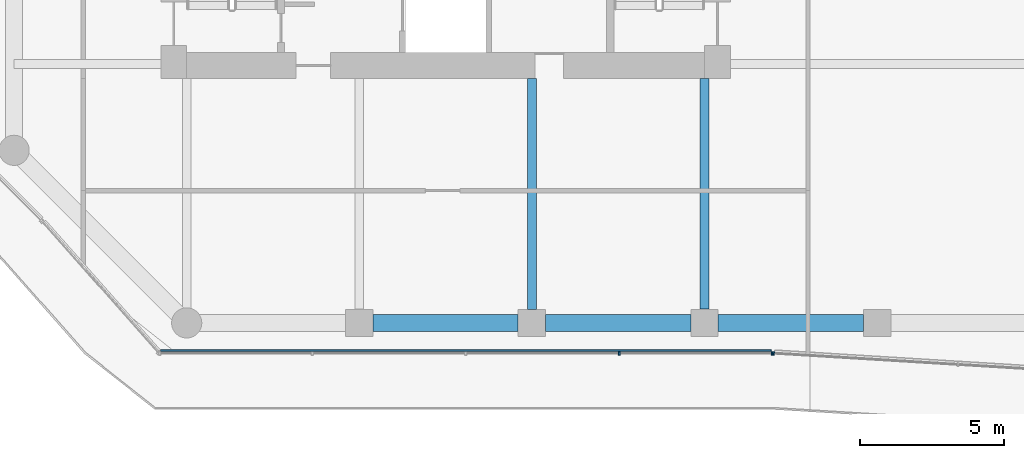
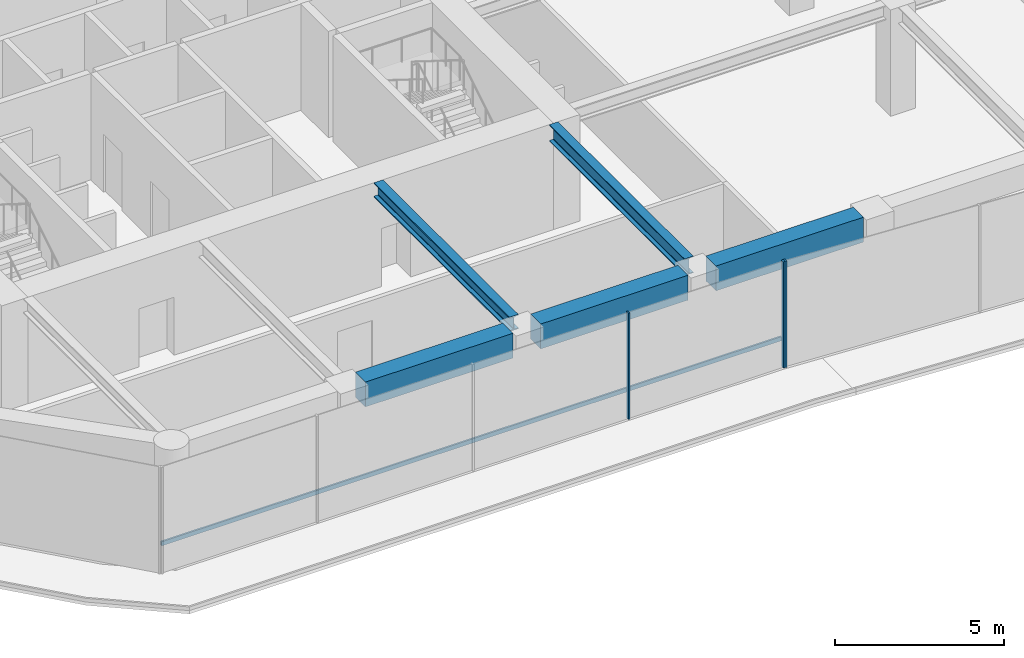
# One storey, part 3 of 27: 5 beams, 4 members, 2 elements without a shape of their own.
"""IFC4 building model written with IfcOpenShell, lengths in metres."""

from ifc_helpers import new_model, si_unit, direction, frame, origin, origin_2d, place, context, subcontext, project, spatial, rectangle, i_section, extrude, material, layer, layer_set, material_profile, profile_set, type_object, element, aggregate, save


model = new_model("IFC4")

# Units and contexts
model_context = context("Model", 3, precision=1e-05, world=origin(), true_north=direction((0.0, 1.0)))
body_context = subcontext(model_context, "Body", "Model", "MODEL_VIEW")
ifc_project = project(units=[si_unit("LENGTHUNIT", "METRE"), si_unit("AREAUNIT", "SQUARE_METRE"), si_unit("VOLUMEUNIT", "CUBIC_METRE"), si_unit("PLANEANGLEUNIT", "RADIAN"), si_unit("MASSUNIT", "GRAM", prefix="KILO")], contexts=[model_context])

# Site, building, storey
site_placement = place(None, origin())
site = spatial("IfcSite", under=ifc_project, at=site_placement, CompositionType="ELEMENT")
building_placement = place(site_placement, origin())
building = spatial("IfcBuilding", under=site, at=building_placement, Name="Welwitschia Terrace Campus", CompositionType="ELEMENT")
storey_placement = place(building_placement, frame((0.0, 0.0, 37.39990234375)))
storey = spatial("IfcBuildingStorey", under=building, at=storey_placement, Name="L08", CompositionType="ELEMENT", Elevation=37.39990234375)

# Beam
ifc_material_1 = material(Name="Steel S355", Category="steel")
ifc_material_profile_1 = material_profile(ifc_material_1, i_section(OverallWidth=0.305908203125, OverallDepth=0.52392578125, WebThickness=0.02099609375, FlangeThickness=0.0400390625, FilletRadius=0.027099609375, at=origin_2d()))
ifc_profile_set_1 = profile_set([ifc_material_profile_1], Name="Steel S355")
beam_type_1 = type_object("IfcBeamType", Name="Interior girder HE 500 M", PredefinedType="BEAM", material=ifc_profile_set_1)
beam_1_placement = place(storey_placement, frame((18.0, -3.534423828125, 3.588134765625), z_axis=(0.0, 1.0, 0.0), x_axis=(-1.0, 0.0, 0.0)))
element("IfcBeam", 1, at=beam_1_placement, inside=storey, type_object=beam_type_1, Name="Girder GB2", PredefinedType="BEAM", context=body_context, shape_type="SweptSolid", body=[
    extrude(i_section(OverallWidth=0.305908203125, OverallDepth=0.52392578125, WebThickness=0.02099609375, FlangeThickness=0.0400390625, FilletRadius=0.027099609375, at=origin_2d()), origin(), (0.0, 0.0, 1.0), 8.033447265625),
])

# Curtain wall, members
ifc_material_2 = material(Name="Bronze anodised aluminium", Category="aluminium")
ifc_layer = layer(ifc_material_2, 0.1201171875)
ifc_layer_set = layer_set([ifc_layer], Name="Bronze anodised aluminium")
curtain_wall_type = type_object("IfcCurtainWallType", Name="Curtain wall CW2 tower 6000", PredefinedType="NOTDEFINED", material=ifc_layer_set)
curtain_wall_1_placement = place(storey_placement, origin())
curtain_wall_1 = element("IfcCurtainWall", 2, at=curtain_wall_1_placement, inside=storey, type_object=curtain_wall_type, Name="CW L08.3.0", PredefinedType="NOTDEFINED")
ifc_material_3 = material(Name="Bronze anodised aluminium", Category="aluminium")
ifc_material_profile_2 = material_profile(ifc_material_3, rectangle(XDim=0.1201171875, YDim=0.06005859375, at=origin_2d()))
ifc_profile_set_2 = profile_set([ifc_material_profile_2], Name="Bronze anodised aluminium")
member_type_1 = type_object("IfcMemberType", Name="Mullion 60x120", PredefinedType="MULLION", material=ifc_profile_set_2)
member_1_placement = place(storey_placement, frame((21.036865234375, -5.05810546875, 0.0), z_axis=(0.0, 0.0, 1.0), x_axis=(0.0, 1.0, 0.0)))
member_1 = element("IfcMember", 3, at=member_1_placement, type_object=member_type_1, Name="Mullion L08.3.0.3", PredefinedType="MULLION", context=body_context, shape_type="SweptSolid", body=[
    extrude(rectangle(XDim=0.1201171875, YDim=0.06005859375, at=origin_2d()), origin(), (0.0, 0.0, 1.0), 3.85009765625),
])
member_2_placement = place(storey_placement, frame((26.342041015625, -5.05810546875, 0.0), z_axis=(0.0, 0.0, 1.0), x_axis=(0.0, 1.0, 0.0)))
member_2 = element("IfcMember", 4, at=member_2_placement, type_object=member_type_1, Name="Mullion L08.3.0.4", PredefinedType="MULLION", context=body_context, shape_type="SweptSolid", body=[
    extrude(rectangle(XDim=0.1201171875, YDim=0.06005859375, at=origin_2d()), origin(), (0.0, 0.0, 1.0), 3.85009765625),
])

# Curtain wall, member
curtain_wall_2_placement = place(storey_placement, origin())
curtain_wall_2 = element("IfcCurtainWall", 5, at=curtain_wall_2_placement, inside=storey, type_object=curtain_wall_type, Name="CW L08.4.0", PredefinedType="NOTDEFINED")
member_3_placement = place(storey_placement, frame((26.40185546875, -5.059814453125, 0.0), z_axis=(0.0, 0.0, 1.0), x_axis=(0.061048539535, 0.998134798422, 0.0)))
member_3 = element("IfcMember", 6, at=member_3_placement, type_object=member_type_1, Name="Mullion L08.4.0.0", PredefinedType="MULLION", context=body_context, shape_type="SweptSolid", body=[
    extrude(rectangle(XDim=0.1201171875, YDim=0.06005859375, at=origin_2d()), origin(), (0.0, 0.0, 1.0), 3.85009765625),
])
aggregate(curtain_wall_2, [member_3])

# Beams
ifc_material_4 = material(Name="Steel S355", Category="steel")
ifc_material_profile_3 = material_profile(ifc_material_4, i_section(OverallWidth=0.300048828125, OverallDepth=0.60009765625, WebThickness=0.015380859375, FlangeThickness=0.030029296875, FilletRadius=0.027099609375, at=origin_2d()))
ifc_profile_set_3 = profile_set([ifc_material_profile_3], Name="Steel S355")
beam_type_2 = type_object("IfcBeamType", Name="Primary beam HE 600 B", PredefinedType="BEAM", material=ifc_profile_set_3)
beam_2_placement = place(storey_placement, frame((24.0, -3.5244140625, 3.550048828125), z_axis=(0.0, 1.0, 0.0), x_axis=(-1.0, 0.0, 0.0)))
element("IfcBeam", 7, at=beam_2_placement, inside=storey, type_object=beam_type_2, Name="Primary beam PB2", PredefinedType="BEAM", context=body_context, shape_type="SweptSolid", body=[
    extrude(i_section(OverallWidth=0.300048828125, OverallDepth=0.60009765625, WebThickness=0.015380859375, FlangeThickness=0.030029296875, FilletRadius=0.027099609375, at=origin_2d()), origin(), (0.0, 0.0, 1.0), 8.0244140625),
])
ifc_material_5 = material(Name="Concrete C60/75", Category="concrete")
ifc_material_profile_4 = material_profile(ifc_material_5, rectangle(XDim=0.60009765625, YDim=0.89990234375, at=origin_2d()))
ifc_profile_set_4 = profile_set([ifc_material_profile_4], Name="Concrete C60/75")
beam_type_3 = type_object("IfcBeamType", Name="Ring spandrel 600x900", PredefinedType="SPANDREL", material=ifc_profile_set_4)
for number, where, z_axis, x_axis, name in (
    (8, (12.4755859375, -4.0, 3.400146484375), (1.0, 0.0, 0.0), (0.0, 1.0, 0.0), "Spandrel SP2"),
    (9, (18.4755859375, -4.0, 3.400146484375), (1.0, 0.0, 0.0), (0.0, 1.0, 0.0), "Spandrel SP2"),
    (10, (24.4755859375, -4.0, 3.400146484375), (1.0, 0.0, 0.0), (0.0, 1.0, 0.0), "Spandrel SP2"),
):
    element("IfcBeam", number, at=place(storey_placement, frame(where, z_axis=z_axis, x_axis=x_axis)), inside=storey, type_object=beam_type_3, Name=name, PredefinedType="SPANDREL", context=body_context, shape_type="SweptSolid", body=[
        extrude(rectangle(XDim=0.60009765625, YDim=0.89990234375, at=origin_2d()), origin(), (0.0, 0.0, 1.0), 5.048828125),
    ])

# Member
ifc_material_6 = material(Name="Bronze anodised aluminium", Category="aluminium")
ifc_material_profile_5 = material_profile(ifc_material_6, rectangle(XDim=0.06005859375, YDim=0.14990234375, at=origin_2d()))
ifc_profile_set_5 = profile_set([ifc_material_profile_5], Name="Bronze anodised aluminium")
member_type_2 = type_object("IfcMemberType", Name="Transom 60x150", PredefinedType="USERDEFINED", material=ifc_profile_set_5)
member_4_placement = place(storey_placement, frame((5.091796875, -4.968017578125, 1.0), z_axis=(1.0, 0.0, 0.0), x_axis=(0.0, 1.0, 0.0)))
member_4 = element("IfcMember", 11, at=member_4_placement, type_object=member_type_2, Name="Transom L08.3.0", ObjectType="TRANSOM", PredefinedType="USERDEFINED", context=body_context, shape_type="SweptSolid", body=[
    extrude(rectangle(XDim=0.06005859375, YDim=0.14990234375, at=origin_2d()), origin(), (0.0, 0.0, 1.0), 21.22021484375),
])

aggregate(curtain_wall_1, [member_1, member_2, member_4])

save(model, "model.ifc")
